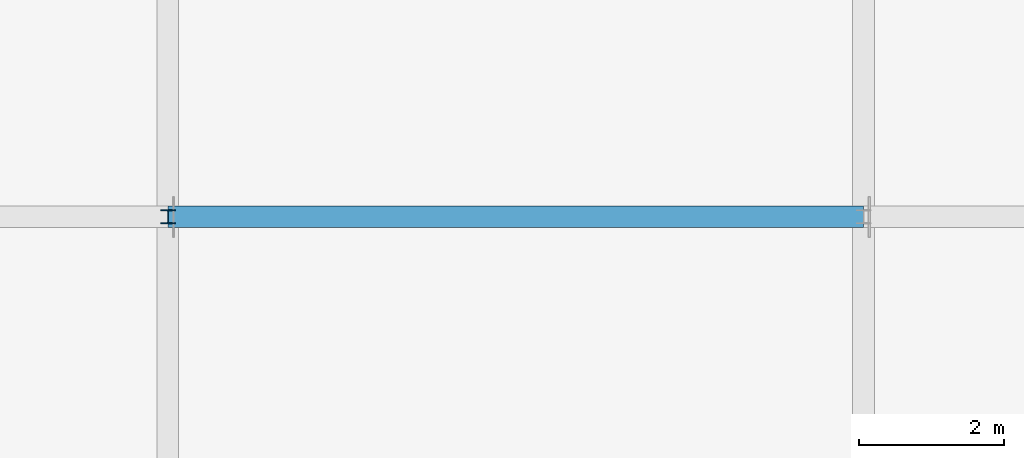
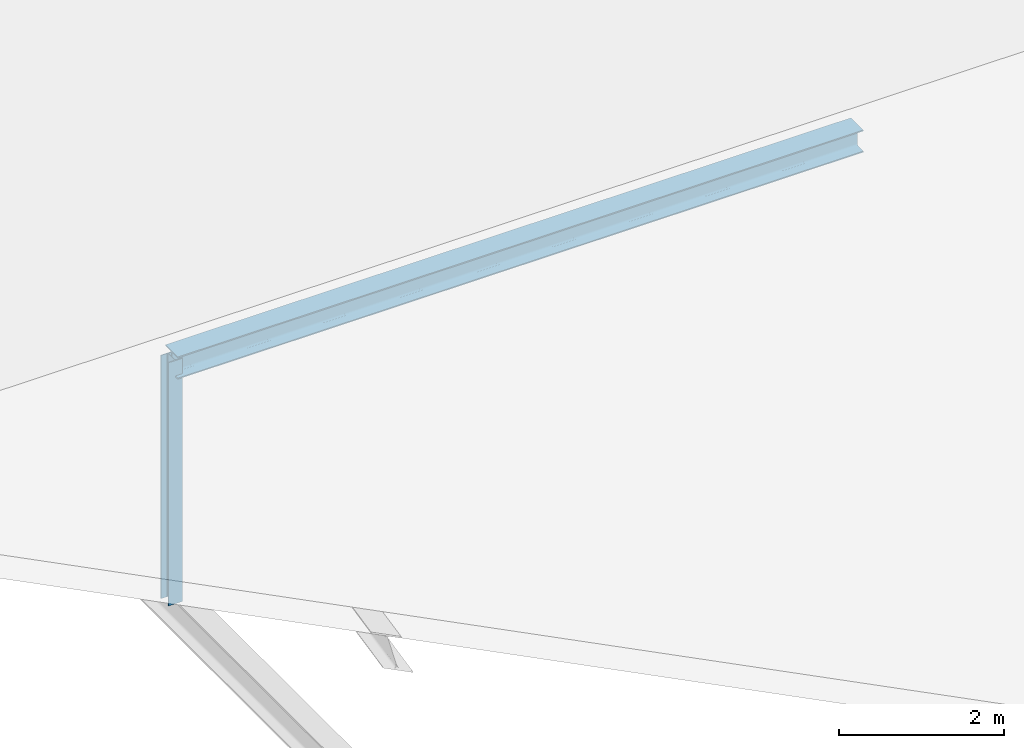
# One storey, part 34 of 85: 1 beam, 1 member.
"""IFC4 building model written with IfcOpenShell, lengths in metres."""

from ifc_helpers import new_model, si_unit, direction, frame, origin, origin_2d, place, context, subcontext, project, spatial, i_section, extrude, material, material_profile, profile_set, type_object, element, save


model = new_model("IFC4")

# Units and contexts
model_context = context("Model", 3, precision=1e-05, world=origin(), true_north=direction((0.0, 1.0)))
body_context = subcontext(model_context, "Body", "Model", "MODEL_VIEW")
ifc_project = project(units=[si_unit("LENGTHUNIT", "METRE"), si_unit("AREAUNIT", "SQUARE_METRE"), si_unit("VOLUMEUNIT", "CUBIC_METRE"), si_unit("PLANEANGLEUNIT", "RADIAN"), si_unit("MASSUNIT", "GRAM", prefix="KILO")], contexts=[model_context])

# Site, building, storey
site_placement = place(None, origin())
site = spatial("IfcSite", under=ifc_project, at=site_placement, CompositionType="ELEMENT")
building_placement = place(site_placement, origin())
building = spatial("IfcBuilding", under=site, at=building_placement, Name="Alderhovde Museum", CompositionType="ELEMENT")
storey_placement = place(building_placement, frame((0.0, 0.0, 8.699951171875)))
storey = spatial("IfcBuildingStorey", under=building, at=storey_placement, Name="L02", CompositionType="ELEMENT", Elevation=8.699951171875)

# Beam
ifc_material_1 = material(Name="Steel S355J2", Category="steel")
ifc_material_profile_1 = material_profile(ifc_material_1, i_section(OverallWidth=0.300048828125, OverallDepth=0.330078125, WebThickness=0.009521484375, FlangeThickness=0.0166015625, FilletRadius=0.027099609375, at=origin_2d()), Name="HEA 340")
ifc_profile_set_1 = profile_set([ifc_material_profile_1], Name="Steel S355J2")
beam_type = type_object("IfcBeamType", Name="BM-HEA340", PredefinedType="BEAM", material=ifc_profile_set_1)
beam_placement = place(storey_placement, frame((76.800048828125, 16.0, 3.02001953125), z_axis=(1.0, 0.0, 0.0), x_axis=(0.0, 1.0, 0.0)))
element("IfcBeam", 1, at=beam_placement, inside=storey, type_object=beam_type, Name="Auditorium Roof Purlin Beam Y=16", PredefinedType="BEAM", context=body_context, shape_type="SweptSolid", body=[
    extrude(i_section(OverallWidth=0.300048828125, OverallDepth=0.330078125, WebThickness=0.009521484375, FlangeThickness=0.0166015625, FilletRadius=0.027099609375, at=origin_2d()), origin(), (0.0, 0.0, 1.0), 9.599853515625),
])

# Member
ifc_material_2 = material(Name="Steel S355J2", Category="steel")
ifc_material_profile_2 = material_profile(ifc_material_2, i_section(OverallWidth=0.199951171875, OverallDepth=0.18994140625, WebThickness=0.006591796875, FlangeThickness=0.010009765625, FilletRadius=0.01806640625, at=origin_2d()), Name="HEA 200")
ifc_profile_set_2 = profile_set([ifc_material_profile_2], Name="Steel S355J2")
member_type = type_object("IfcMemberType", Name="TR-PS-HEA200", PredefinedType="POST", material=ifc_profile_set_2)
member_placement = place(storey_placement, frame((76.800048828125, 16.0, -0.5), z_axis=(0.0, 0.0, 1.0), x_axis=(1.0, 0.0, 0.0)))
element("IfcMember", 2, at=member_placement, inside=storey, type_object=member_type, Name="Auditorium Roof Truss X=76.8 Post P2", PredefinedType="POST", context=body_context, shape_type="SweptSolid", body=[
    extrude(i_section(OverallWidth=0.199951171875, OverallDepth=0.18994140625, WebThickness=0.006591796875, FlangeThickness=0.010009765625, FilletRadius=0.01806640625, at=origin_2d()), origin(), (0.0, 0.0, 1.0), 3.60009765625),
])

save(model, "model.ifc")
